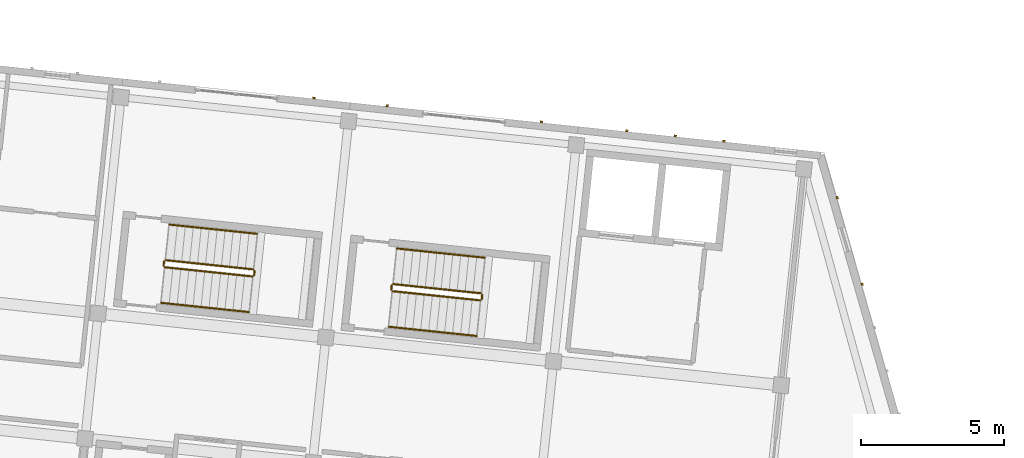
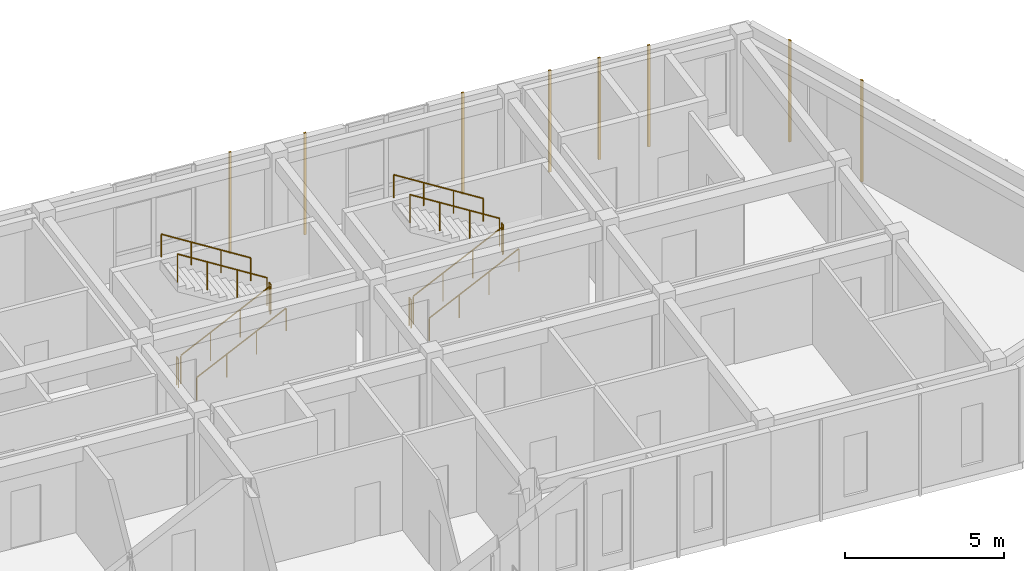
# One storey, part 148 of 150: 12 railings, 8 coverings.
"""IFC4 building model written with IfcOpenShell, lengths in metres."""

from ifc_helpers import new_model, si_unit, direction, frame, origin, origin_2d, place, context, subcontext, project, spatial, rectangle, circle, extrude, material, layer, layer_set, type_object, element, save


model = new_model("IFC4")

# Units and contexts
model_context = context("Model", 3, precision=1e-05, world=origin(), true_north=direction((0.0, 1.0)))
body_context = subcontext(model_context, "Body", "Model", "MODEL_VIEW")
ifc_project = project(units=[si_unit("LENGTHUNIT", "METRE"), si_unit("AREAUNIT", "SQUARE_METRE"), si_unit("VOLUMEUNIT", "CUBIC_METRE"), si_unit("PLANEANGLEUNIT", "RADIAN"), si_unit("MASSUNIT", "GRAM", prefix="KILO")], contexts=[model_context])

# Site, building, storey
site_placement = place(None, origin())
site = spatial("IfcSite", under=ifc_project, at=site_placement, CompositionType="ELEMENT")
building_placement = place(site_placement, origin())
building = spatial("IfcBuilding", under=site, at=building_placement, Name="Kestramere Prow Commons", CompositionType="ELEMENT")
storey_placement = place(building_placement, frame((0.0, 0.0, 4.5)))
storey = spatial("IfcBuildingStorey", under=building, at=storey_placement, Name="L01", CompositionType="ELEMENT", Elevation=4.5)

# Coverings
ifc_material_1 = material(Name="Weathered Zinc-Titanium Standing-Seam Cladding")
ifc_layer = layer(ifc_material_1, 0.074951171875)
ifc_layer_set = layer_set([ifc_layer], Name="Weathered Zinc-Titanium Standing-Seam Cladding")
covering_type = type_object("IfcCoveringType", Name="COV-CLAD-SEAM", PredefinedType="CLADDING", material=ifc_layer_set)
for number, where, z_axis, x_axis, name in (
    (1, (142.663818359375, 111.756103515625, -0.25), (0.0, 0.0, 1.0), (0.994521895368, -0.104528463268, 0.0), "EW-B-L01-NP-3-R Standing-Seam Rib 1"),
    (2, (145.224609375, 111.48681640625, -0.25), (0.0, 0.0, 1.0), (0.994521895368, -0.104528463268, 0.0), "EW-B-L01-NP-4-L Standing-Seam Rib 1"),
    (3, (150.6201171875, 110.919921875, -0.25), (0.0, 0.0, 1.0), (0.994521895368, -0.104528463268, 0.0), "EW-B-L01-NP-4-R Standing-Seam Rib 1"),
    (4, (153.59619140625, 110.607177734375, -0.25), (0.0, 0.0, 1.0), (0.994521895368, -0.104528463268, 0.0), "EW-B-L01-N-5 Standing-Seam Rib 1"),
    (5, (155.291748046875, 110.428955078125, -0.25), (0.0, 0.0, 1.0), (0.994521895368, -0.104528463268, 0.0), "EW-B-L01-N-5 Standing-Seam Rib 2"),
    (6, (156.987548828125, 110.250732421875, -0.25), (0.0, 0.0, 1.0), (0.994521895368, -0.104528463268, 0.0), "EW-B-L01-N-5 Standing-Seam Rib 3"),
    (7, (160.954345703125, 108.273193359375, -0.25), (0.0, 0.0, 1.0), (0.27631844013, -0.961066136977, 0.0), "EW-B-L01-PRW-N Standing-Seam Rib 1"),
    (8, (161.824951171875, 105.24462890625, -0.25), (0.0, 0.0, 1.0), (0.27631844013, -0.961066136977, 0.0), "EW-B-L01-PRW-N Standing-Seam Rib 3"),
):
    element("IfcCovering", number, at=place(storey_placement, frame(where, z_axis=z_axis, x_axis=x_axis)), inside=storey, type_object=covering_type, Name=name, PredefinedType="CLADDING", context=body_context, shape_type="SweptSolid", body=[
        extrude(rectangle(XDim=0.0849609375, YDim=0.06494140625, at=origin_2d()), origin(), (0.0, 0.0, 1.0), 3.89990234375),
    ])

# Railings
ifc_material_2 = material(Name="Galvanised Steel S275JR", Category="steel")
railing_type_1 = type_object("IfcRailingType", Name="RL-ST-GR-1100", PredefinedType="GUARDRAIL", material=ifc_material_2)
railing_1_placement = place(storey_placement, frame((137.454345703125, 105.8408203125, 0.16259765625)))
element("IfcRailing", 9, at=railing_1_placement, inside=storey, type_object=railing_type_1, Name="L01 ST-B1 stair guard 1", PredefinedType="GUARDRAIL", context=body_context, shape_type="SweptSolid", body=[
    extrude(circle(Radius=0.02392578125, at=origin_2d()), frame((0.0, 0.0, 1.076171875), z_axis=(0.860182917327, -0.090426497805, 0.501904769088), x_axis=(0.104548623957, 0.994519776188, 0.0)), (0.0, 0.0, 1.0), 3.56103515625),
    extrude(circle(Radius=0.02099609375, at=origin_2d()), origin(), (0.0, 0.0, 1.0), 1.052001953125),
    extrude(circle(Radius=0.02099609375, at=origin_2d()), frame((1.02099609375, -0.107421875, 0.595703125)), (0.0, 0.0, 1.0), 1.052001953125),
    extrude(circle(Radius=0.02099609375, at=origin_2d()), frame((2.042236328125, -0.214599609375, 1.191650390625)), (0.0, 0.0, 1.0), 1.052001953125),
    extrude(circle(Radius=0.02099609375, at=origin_2d()), frame((3.063232421875, -0.322021484375, 1.787353515625)), (0.0, 0.0, 1.0), 1.052001953125),
])
railing_2_placement = place(storey_placement, frame((140.572509765625, 105.563232421875, 1.949951171875)))
element("IfcRailing", 10, at=railing_2_placement, inside=storey, type_object=railing_type_1, Name="L01 ST-B1 stair guard 2", PredefinedType="GUARDRAIL", context=body_context, shape_type="SweptSolid", body=[
    extrude(circle(Radius=0.02392578125, at=origin_2d()), frame((0.0, 0.0, 1.076171875), z_axis=(0.104176375855, 0.994558838236, 0.0), x_axis=(-0.994558838236, 0.104176375855, 0.0)), (0.0, 0.0, 1.0), 0.14990234375),
    extrude(circle(Radius=0.02099609375, at=origin_2d()), origin(), (0.0, 0.0, 1.0), 1.052001953125),
    extrude(circle(Radius=0.02099609375, at=origin_2d()), frame((0.015625, 0.149169921875, 0.0)), (0.0, 0.0, 1.0), 1.052001953125),
])
railing_3_placement = place(storey_placement, frame((140.543701171875, 105.767333984375, 2.112548828125)))
element("IfcRailing", 11, at=railing_3_placement, inside=storey, type_object=railing_type_1, Name="L01 ST-B1 stair guard 3", PredefinedType="GUARDRAIL", context=body_context, shape_type="SweptSolid", body=[
    extrude(circle(Radius=0.02392578125, at=origin_2d()), frame((0.0, 0.0, 1.076171875), z_axis=(-0.860165085115, 0.090431830645, 0.501934368574), x_axis=(-0.104556866085, -0.994518909702, 0.0)), (0.0, 0.0, 1.0), 3.56103515625),
    extrude(circle(Radius=0.02099609375, at=origin_2d()), origin(), (0.0, 0.0, 1.0), 1.052001953125),
    extrude(circle(Radius=0.02099609375, at=origin_2d()), frame((-1.02099609375, 0.107421875, 0.595703125)), (0.0, 0.0, 1.0), 1.052001953125),
    extrude(circle(Radius=0.02099609375, at=origin_2d()), frame((-2.0419921875, 0.214599609375, 1.191650390625)), (0.0, 0.0, 1.0), 1.052001953125),
    extrude(circle(Radius=0.02099609375, at=origin_2d()), frame((-3.06298828125, 0.322021484375, 1.787353515625)), (0.0, 0.0, 1.0), 1.052001953125),
])
railing_4_placement = place(storey_placement, frame((137.409912109375, 105.895751953125, 0.0)))
element("IfcRailing", 12, at=railing_4_placement, inside=storey, type_object=railing_type_1, Name="L01 ST-B1 stair guard 4", PredefinedType="GUARDRAIL", context=body_context, shape_type="SweptSolid", body=[
    extrude(circle(Radius=0.02392578125, at=origin_2d()), frame((0.0, 0.0, 1.076171875), z_axis=(0.104176375855, 0.994558838236, 0.0), x_axis=(-0.994558838236, 0.104176375855, 0.0)), (0.0, 0.0, 1.0), 0.14990234375),
    extrude(circle(Radius=0.02099609375, at=origin_2d()), origin(), (0.0, 0.0, 1.0), 1.052001953125),
    extrude(circle(Radius=0.02099609375, at=origin_2d()), frame((0.015625, 0.149169921875, 0.0)), (0.0, 0.0, 1.0), 1.052001953125),
])
railing_5_placement = place(storey_placement, frame((145.41064453125, 105.00439453125, 0.16259765625)))
element("IfcRailing", 13, at=railing_5_placement, inside=storey, type_object=railing_type_1, Name="L01 ST-B2 stair guard 1", PredefinedType="GUARDRAIL", context=body_context, shape_type="SweptSolid", body=[
    extrude(circle(Radius=0.02392578125, at=origin_2d()), frame((0.0, 0.0, 1.076171875), z_axis=(0.860188247936, -0.090358500899, 0.501907879424), x_axis=(0.104470225815, 0.994528014647, 0.0)), (0.0, 0.0, 1.0), 3.56103515625),
    extrude(circle(Radius=0.02099609375, at=origin_2d()), origin(), (0.0, 0.0, 1.0), 1.052001953125),
    extrude(circle(Radius=0.02099609375, at=origin_2d()), frame((1.02099609375, -0.107177734375, 0.595703125)), (0.0, 0.0, 1.0), 1.052001953125),
    extrude(circle(Radius=0.02099609375, at=origin_2d()), frame((2.042236328125, -0.214599609375, 1.191650390625)), (0.0, 0.0, 1.0), 1.052001953125),
    extrude(circle(Radius=0.02099609375, at=origin_2d()), frame((3.063232421875, -0.32177734375, 1.787353515625)), (0.0, 0.0, 1.0), 1.052001953125),
])
railing_6_placement = place(storey_placement, frame((148.52880859375, 104.72705078125, 1.949951171875)))
element("IfcRailing", 14, at=railing_6_placement, inside=storey, type_object=railing_type_1, Name="L01 ST-B2 stair guard 2", PredefinedType="GUARDRAIL", context=body_context, shape_type="SweptSolid", body=[
    extrude(circle(Radius=0.02392578125, at=origin_2d()), frame((0.0, 0.0, 1.076171875), z_axis=(0.104176375855, 0.994558838236, 0.0), x_axis=(-0.994558838236, 0.104176375855, 0.0)), (0.0, 0.0, 1.0), 0.14990234375),
    extrude(circle(Radius=0.02099609375, at=origin_2d()), origin(), (0.0, 0.0, 1.0), 1.052001953125),
    extrude(circle(Radius=0.02099609375, at=origin_2d()), frame((0.015625, 0.149169921875, 0.0)), (0.0, 0.0, 1.0), 1.052001953125),
])
railing_7_placement = place(storey_placement, frame((148.5, 104.93115234375, 2.112548828125)))
element("IfcRailing", 15, at=railing_7_placement, inside=storey, type_object=railing_type_1, Name="L01 ST-B2 stair guard 3", PredefinedType="GUARDRAIL", context=body_context, shape_type="SweptSolid", body=[
    extrude(circle(Radius=0.02392578125, at=origin_2d()), frame((0.0, 0.0, 1.076171875), z_axis=(-0.860182917327, 0.090426497805, 0.501904769088), x_axis=(-0.104548623957, -0.994519776188, 0.0)), (0.0, 0.0, 1.0), 3.56103515625),
    extrude(circle(Radius=0.02099609375, at=origin_2d()), origin(), (0.0, 0.0, 1.0), 1.052001953125),
    extrude(circle(Radius=0.02099609375, at=origin_2d()), frame((-1.02099609375, 0.107421875, 0.595703125)), (0.0, 0.0, 1.0), 1.052001953125),
    extrude(circle(Radius=0.02099609375, at=origin_2d()), frame((-2.042236328125, 0.214599609375, 1.191650390625)), (0.0, 0.0, 1.0), 1.052001953125),
    extrude(circle(Radius=0.02099609375, at=origin_2d()), frame((-3.063232421875, 0.322021484375, 1.787353515625)), (0.0, 0.0, 1.0), 1.052001953125),
])
railing_8_placement = place(storey_placement, frame((145.3662109375, 105.059326171875, 0.0)))
element("IfcRailing", 16, at=railing_8_placement, inside=storey, type_object=railing_type_1, Name="L01 ST-B2 stair guard 4", PredefinedType="GUARDRAIL", context=body_context, shape_type="SweptSolid", body=[
    extrude(circle(Radius=0.02392578125, at=origin_2d()), frame((0.0, 0.0, 1.076171875), z_axis=(0.104176375855, 0.994558838236, 0.0), x_axis=(-0.994558838236, 0.104176375855, 0.0)), (0.0, 0.0, 1.0), 0.14990234375),
    extrude(circle(Radius=0.02099609375, at=origin_2d()), origin(), (0.0, 0.0, 1.0), 1.052001953125),
    extrude(circle(Radius=0.02099609375, at=origin_2d()), frame((0.015625, 0.149169921875, 0.0)), (0.0, 0.0, 1.0), 1.052001953125),
])
ifc_material_3 = material(Name="Stainless Steel 304", Category="steel")
railing_type_2 = type_object("IfcRailingType", Name="RL-ST-HR-900", PredefinedType="HANDRAIL", material=ifc_material_3)
railing_9_placement = place(storey_placement, frame((137.32373046875, 104.59765625, 0.324951171875)))
element("IfcRailing", 17, at=railing_9_placement, inside=storey, type_object=railing_type_2, Name="L01 ST-B1 stair handrail 1", PredefinedType="HANDRAIL", context=body_context, shape_type="SweptSolid", body=[
    extrude(circle(Radius=0.02392578125, at=origin_2d()), frame((0.0, 0.0, 0.8759765625), z_axis=(0.860153318787, -0.090423386266, 0.501956053252), x_axis=(0.104548623957, 0.994519776188, 0.0)), (0.0, 0.0, 1.0), 3.561279296875),
    extrude(circle(Radius=0.02099609375, at=origin_2d()), origin(), (0.0, 0.0, 1.0), 0.851806640625),
    extrude(circle(Radius=0.02099609375, at=origin_2d()), frame((1.02099609375, -0.107421875, 0.595947265625)), (0.0, 0.0, 1.0), 0.851806640625),
    extrude(circle(Radius=0.02099609375, at=origin_2d()), frame((2.042236328125, -0.214599609375, 1.191650390625)), (0.0, 0.0, 1.0), 0.851806640625),
    extrude(circle(Radius=0.02099609375, at=origin_2d()), frame((3.063232421875, -0.322021484375, 1.78759765625)), (0.0, 0.0, 1.0), 0.851806640625),
])
railing_10_placement = place(storey_placement, frame((140.67431640625, 107.010498046875, 2.27490234375)))
element("IfcRailing", 18, at=railing_10_placement, inside=storey, type_object=railing_type_2, Name="L01 ST-B1 stair handrail 2", PredefinedType="HANDRAIL", context=body_context, shape_type="SweptSolid", body=[
    extrude(circle(Radius=0.02392578125, at=origin_2d()), frame((0.0, 0.0, 0.8759765625), z_axis=(-0.860135483697, 0.090428718555, 0.501985653725), x_axis=(-0.104556866085, -0.994518909702, 0.0)), (0.0, 0.0, 1.0), 3.56103515625),
    extrude(circle(Radius=0.02099609375, at=origin_2d()), origin(), (0.0, 0.0, 1.0), 0.851806640625),
    extrude(circle(Radius=0.02099609375, at=origin_2d()), frame((-1.02099609375, 0.107421875, 0.595947265625)), (0.0, 0.0, 1.0), 0.851806640625),
    extrude(circle(Radius=0.02099609375, at=origin_2d()), frame((-2.0419921875, 0.214599609375, 1.191650390625)), (0.0, 0.0, 1.0), 0.851806640625),
    extrude(circle(Radius=0.02099609375, at=origin_2d()), frame((-3.06298828125, 0.322021484375, 1.78759765625)), (0.0, 0.0, 1.0), 0.851806640625),
])
railing_11_placement = place(storey_placement, frame((145.280029296875, 103.76123046875, 0.324951171875)))
element("IfcRailing", 19, at=railing_11_placement, inside=storey, type_object=railing_type_2, Name="L01 ST-B2 stair handrail 1", PredefinedType="HANDRAIL", context=body_context, shape_type="SweptSolid", body=[
    extrude(circle(Radius=0.02392578125, at=origin_2d()), frame((0.0, 0.0, 0.8759765625), z_axis=(0.860140814274, -0.090360720007, 0.501988764715), x_axis=(0.104478461899, 0.994527149453, 0.0)), (0.0, 0.0, 1.0), 3.56103515625),
    extrude(circle(Radius=0.02099609375, at=origin_2d()), origin(), (0.0, 0.0, 1.0), 0.851806640625),
    extrude(circle(Radius=0.02099609375, at=origin_2d()), frame((1.02099609375, -0.107177734375, 0.595947265625)), (0.0, 0.0, 1.0), 0.851806640625),
    extrude(circle(Radius=0.02099609375, at=origin_2d()), frame((2.0419921875, -0.214599609375, 1.191650390625)), (0.0, 0.0, 1.0), 0.851806640625),
    extrude(circle(Radius=0.02099609375, at=origin_2d()), frame((3.06298828125, -0.32177734375, 1.78759765625)), (0.0, 0.0, 1.0), 0.851806640625),
])
railing_12_placement = place(storey_placement, frame((148.630615234375, 106.17431640625, 2.27490234375)))
element("IfcRailing", 20, at=railing_12_placement, inside=storey, type_object=railing_type_2, Name="L01 ST-B2 stair handrail 2", PredefinedType="HANDRAIL", context=body_context, shape_type="SweptSolid", body=[
    extrude(circle(Radius=0.02392578125, at=origin_2d()), frame((0.0, 0.0, 0.8759765625), z_axis=(-0.860153318787, 0.090423386266, 0.501956053252), x_axis=(-0.104548623957, -0.994519776188, 0.0)), (0.0, 0.0, 1.0), 3.561279296875),
    extrude(circle(Radius=0.02099609375, at=origin_2d()), origin(), (0.0, 0.0, 1.0), 0.851806640625),
    extrude(circle(Radius=0.02099609375, at=origin_2d()), frame((-1.02099609375, 0.107421875, 0.595947265625)), (0.0, 0.0, 1.0), 0.851806640625),
    extrude(circle(Radius=0.02099609375, at=origin_2d()), frame((-2.042236328125, 0.214599609375, 1.191650390625)), (0.0, 0.0, 1.0), 0.851806640625),
    extrude(circle(Radius=0.02099609375, at=origin_2d()), frame((-3.063232421875, 0.322021484375, 1.78759765625)), (0.0, 0.0, 1.0), 0.851806640625),
])

save(model, "model.ifc")
